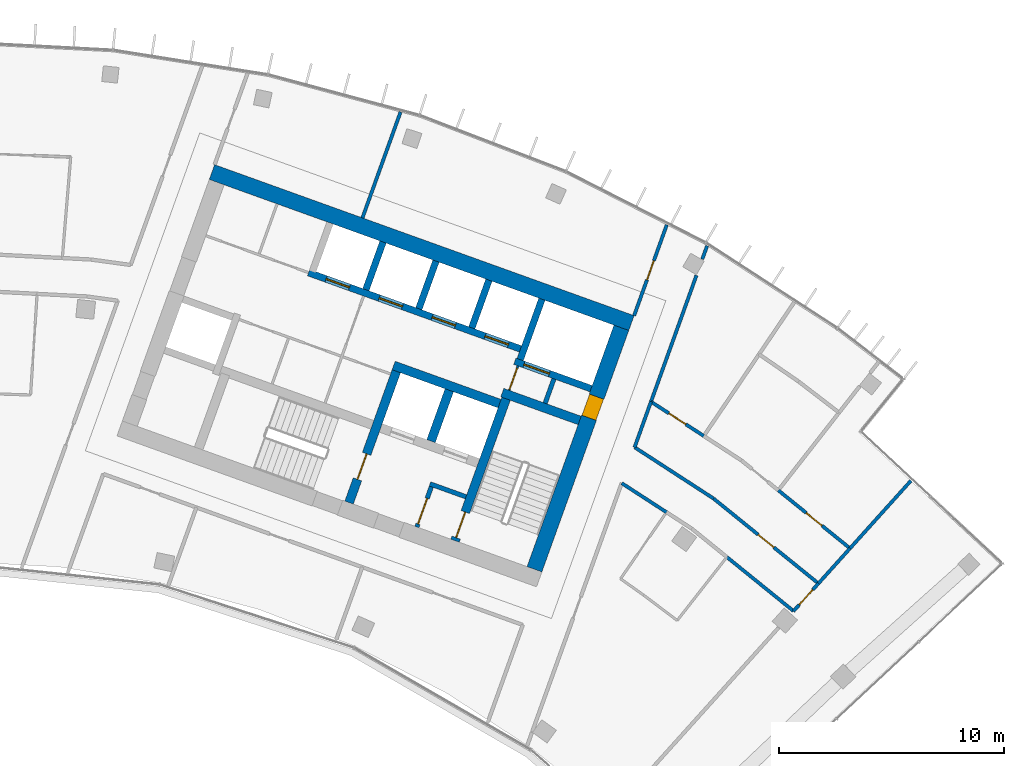
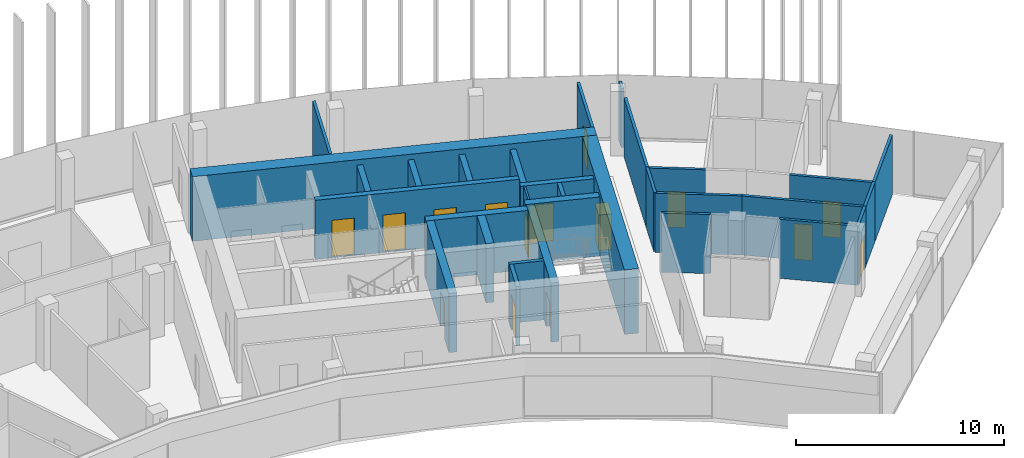
# One storey, part 17 of 19: 31 walls, 15 doors, 15 openings.
"""IFC4 building model written with IfcOpenShell, lengths in metres."""

from ifc_helpers import new_model, si_unit, direction, frame, frame_2d, origin, place, context, subcontext, project, spatial, rectangle, extrude, material, layer, layer_set, type_object, element, fill, save


model = new_model("IFC4")

# Units and contexts
model_context = context("Model", 3, precision=1e-05, world=origin(), true_north=direction((0.0, 1.0)))
body_context = subcontext(model_context, "Body", "Model", "MODEL_VIEW")
ifc_project = project(units=[si_unit("LENGTHUNIT", "METRE"), si_unit("AREAUNIT", "SQUARE_METRE"), si_unit("VOLUMEUNIT", "CUBIC_METRE"), si_unit("PLANEANGLEUNIT", "RADIAN"), si_unit("MASSUNIT", "GRAM", prefix="KILO")], contexts=[model_context])

# Site, building, storey
site_placement = place(None, origin())
site = spatial("IfcSite", under=ifc_project, at=site_placement, CompositionType="ELEMENT")
building_placement = place(site_placement, origin())
building = spatial("IfcBuilding", under=site, at=building_placement, Name="Stone Belt Terrace Tower", CompositionType="ELEMENT")
storey_placement = place(building_placement, frame((0.0, 0.0, 292.199951171875)))
storey = spatial("IfcBuildingStorey", under=building, at=storey_placement, Name="L71", CompositionType="ELEMENT", Elevation=292.199951171875)

# Wall, opening, door
ifc_material_1 = material(Name="Plasterboard partition")
ifc_layer_1 = layer(ifc_material_1, 0.10009765625)
ifc_layer_set_1 = layer_set([ifc_layer_1], Name="Core partition 100")
wall_type_1 = type_object("IfcWallType", Name="Core partition 100", PredefinedType="PARTITIONING", material=ifc_layer_set_1)
wall_1_placement = place(storey_placement, frame((24.555908203125, 51.10400390625, 0.0), z_axis=(0.0, 0.0, 1.0), x_axis=(0.338621735342, 0.94092258999, 0.0)))
wall_1 = element("IfcWall", 1, at=wall_1_placement, inside=storey, type_object=wall_type_1, Name="Core B wall", PredefinedType="PARTITIONING", context=body_context, shape_type="SweptSolid", body=[
    extrude(rectangle(XDim=1.14990234375, YDim=0.10009765625, at=frame_2d((0.574951171875, 0.0))), origin(), (0.0, 0.0, 1.0), 3.47998046875),
])
opening_1_placement = place(wall_1_placement, frame((0.050048828125, 0.0, 0.0)))
opening_1 = element("IfcOpeningElement", 2, at=opening_1_placement, cuts=wall_1, Name="Opening L71-C22", PredefinedType="OPENING", context=body_context, shape_type="SweptSolid", body=[
    extrude(rectangle(XDim=1.0, YDim=2.10009765625, at=frame_2d((0.5, 1.050048828125))), frame((0.0, 0.06005859375, 0.0), z_axis=(0.0, -1.0, 0.0), x_axis=(1.0, 0.0, 0.0)), (0.0, 0.0, 1.0), 0.1201171875),
])
ifc_material_2 = material(Name="Timber door leaf", Category="wood")
door_type_1 = type_object("IfcDoorType", Name="Core room door 1000", OperationType="SINGLE_SWING_LEFT", PredefinedType="DOOR", material=ifc_material_2)
door_1_placement = place(opening_1_placement, origin())
door_1 = element("IfcDoor", 3, at=door_1_placement, inside=storey, type_object=door_type_1, Name="Service lift lobby door core B", OperationType="SINGLE_SWING_RIGHT", OverallHeight=2.10009765625, OverallWidth=1.0, PredefinedType="DOOR", context=body_context, shape_type="SweptSolid", body=[
    extrude(rectangle(XDim=1.0, YDim=2.10009765625, at=frame_2d((0.5, 1.050048828125))), frame((0.0, 0.02490234375, 0.0), z_axis=(0.0, -1.0, 0.0), x_axis=(1.0, 0.0, 0.0)), (0.0, 0.0, 1.0), 0.050048828125),
])
fill(opening_1, door_1)

# Wall
ifc_material_3 = material(Name="Concrete B60", Category="concrete")
ifc_layer_2 = layer(ifc_material_3, 0.699951171875)
ifc_layer_set_2 = layer_set([ifc_layer_2], Name="Core wall 700 B60")
wall_type_2 = type_object("IfcWallType", Name="Core wall 700 B60", PredefinedType="SHEAR", material=ifc_layer_set_2)
wall_2_placement = place(storey_placement, frame((11.35791015625, 60.795654296875, 0.0), z_axis=(0.0, 0.0, 1.0), x_axis=(0.940919787944, -0.33862952124, 0.0)))
element("IfcWall", 4, at=wall_2_placement, inside=storey, type_object=wall_type_2, Name="Core B wall convex L71", PredefinedType="SHEAR", context=body_context, shape_type="SweptSolid", body=[
    extrude(rectangle(XDim=19.7998046875, YDim=0.699951171875, at=frame_2d((9.89990234375, 0.0))), origin(), (0.0, 0.0, 1.0), 3.800048828125),
])

# Wall, opening, door
wall_3_placement = place(storey_placement, frame((25.679931640625, 43.153564453125, 0.0), z_axis=(0.0, 0.0, 1.0), x_axis=(0.338625431531, 0.940921259788, 0.0)))
wall_3 = element("IfcWall", 5, at=wall_3_placement, inside=storey, type_object=wall_type_2, Name="Core B wall end_b L71", PredefinedType="SHEAR", context=body_context, shape_type="SweptSolid", body=[
    extrude(rectangle(XDim=11.400146484375, YDim=0.699951171875, at=frame_2d((5.7001953125, 0.0))), origin(), (0.0, 0.0, 1.0), 3.800048828125),
])
opening_2_placement = place(wall_3_placement, frame((7.14990234375, 0.0, 0.0)))
opening_2 = element("IfcOpeningElement", 6, at=opening_2_placement, cuts=wall_3, Name="Opening L71-C21", PredefinedType="OPENING", context=body_context, shape_type="SweptSolid", body=[
    extrude(rectangle(XDim=1.0, YDim=2.10009765625, at=frame_2d((0.5, 1.050048828125))), frame((0.0, 0.35986328125, 0.0), z_axis=(0.0, -1.0, 0.0), x_axis=(1.0, 0.0, 0.0)), (0.0, 0.0, 1.0), 0.719970703125),
])
door_2_placement = place(opening_2_placement, origin())
door_2 = element("IfcDoor", 7, at=door_2_placement, inside=storey, type_object=door_type_1, Name="Door to Telecommunications riser room core B", OperationType="SINGLE_SWING_LEFT", OverallHeight=2.10009765625, OverallWidth=1.0, PredefinedType="DOOR", context=body_context, shape_type="SweptSolid", body=[
    extrude(rectangle(XDim=1.0, YDim=2.10009765625, at=frame_2d((0.5, 1.050048828125))), frame((0.0, 0.330078125, 0.0), z_axis=(0.0, -1.0, 0.0), x_axis=(1.0, 0.0, 0.0)), (0.0, 0.0, 1.0), 0.659912109375),
])
fill(opening_2, door_2)

# Walls
ifc_material_4 = material(Name="Concrete B80", Category="concrete")
ifc_layer_3 = layer(ifc_material_4, 0.39990234375)
ifc_layer_set_3 = layer_set([ifc_layer_3], Name="Fire-fighting lift shaft wall 400")
wall_type_3 = type_object("IfcWallType", Name="Fire-fighting lift shaft wall 400", PredefinedType="SHEAR", material=ifc_layer_set_3)
wall_4_placement = place(storey_placement, frame((24.130615234375, 50.512939453125, 0.0), z_axis=(0.0, 0.0, 1.0), x_axis=(-0.94091168377, 0.338652038744, 0.0)))
element("IfcWall", 8, at=wall_4_placement, inside=storey, type_object=wall_type_3, Name="Core B wall", PredefinedType="SHEAR", context=body_context, shape_type="SweptSolid", body=[
    extrude(rectangle(XDim=5.000244140625, YDim=0.39990234375, at=frame_2d((2.5, 0.0))), origin(), (0.0, 0.0, 1.0), 3.47998046875),
])
wall_5_placement = place(storey_placement, frame((21.0859375, 48.845458984375, 0.0), z_axis=(0.0, 0.0, 1.0), x_axis=(0.338629416206, 0.940919825745, 0.0)))
element("IfcWall", 9, at=wall_5_placement, inside=storey, type_object=wall_type_3, Name="Core B wall", PredefinedType="SHEAR", context=body_context, shape_type="SweptSolid", body=[
    extrude(rectangle(XDim=2.400146484375, YDim=0.39990234375, at=frame_2d((1.2001953125, 0.0))), origin(), (0.0, 0.0, 1.0), 3.47998046875),
])

# Wall, opening, door
ifc_layer_4 = layer(ifc_material_4, 0.300048828125)
ifc_layer_set_4 = layer_set([ifc_layer_4], Name="Lift shaft wall 300")
wall_type_4 = type_object("IfcWallType", Name="Lift shaft wall 300", PredefinedType="SHEAR", material=ifc_layer_set_4)
wall_6_placement = place(storey_placement, frame((28.195068359375, 51.17578125, 0.0), z_axis=(0.0, 0.0, 1.0), x_axis=(-0.940901243567, 0.338681044427, 0.0)))
wall_6 = element("IfcWall", 10, at=wall_6_placement, inside=storey, type_object=wall_type_4, Name="Core B wall", PredefinedType="SHEAR", context=body_context, shape_type="SweptSolid", body=[
    extrude(rectangle(XDim=3.599853515625, YDim=0.300048828125, at=frame_2d((1.7998046875, 0.0))), origin(), (0.0, 0.0, 1.0), 3.47998046875),
])
opening_3_placement = place(wall_6_placement, frame((1.969970703125, 0.0, 0.0)))
opening_3 = element("IfcOpeningElement", 11, at=opening_3_placement, cuts=wall_6, Name="Opening L71-LD14", PredefinedType="OPENING", context=body_context, shape_type="SweptSolid", body=[
    extrude(rectangle(XDim=1.199951171875, YDim=2.199951171875, at=frame_2d((0.60009765625, 1.10009765625))), frame((0.0, 0.159912109375, 0.0), z_axis=(0.0, -1.0, 0.0), x_axis=(1.0, 0.0, 0.0)), (0.0, 0.0, 1.0), 0.320068359375),
])
ifc_material_5 = material(Name="Stainless steel door leaf", Category="steel")
door_type_2 = type_object("IfcDoorType", Name="Landing door 1200", OperationType="SLIDING_TO_LEFT", PredefinedType="DOOR", material=ifc_material_5)
door_3_placement = place(opening_3_placement, origin())
door_3 = element("IfcDoor", 12, at=door_3_placement, inside=storey, type_object=door_type_2, Name="Landing door SV1 core B", OperationType="SLIDING_TO_LEFT", OverallHeight=2.199951171875, OverallWidth=1.199951171875, PredefinedType="DOOR", context=body_context, shape_type="SweptSolid", body=[
    extrude(rectangle(XDim=1.199951171875, YDim=2.199951171875, at=frame_2d((0.60009765625, 1.10009765625))), frame((0.0, 0.02490234375, 0.0), z_axis=(0.0, -1.0, 0.0), x_axis=(1.0, 0.0, 0.0)), (0.0, 0.0, 1.0), 0.050048828125),
])
fill(opening_3, door_3)

# Wall
wall_7_placement = place(storey_placement, frame((25.046875, 52.46826171875, 0.0), z_axis=(0.0, 0.0, 1.0), x_axis=(0.338549588058, 0.940948551423, 0.0)))
element("IfcWall", 13, at=wall_7_placement, inside=storey, type_object=wall_type_4, Name="Core B wall", PredefinedType="SHEAR", context=body_context, shape_type="SweptSolid", body=[
    extrude(rectangle(XDim=2.849853515625, YDim=0.300048828125, at=frame_2d((1.4248046875, 0.0))), origin(), (0.0, 0.0, 1.0), 3.47998046875),
])

# Wall, openings, doors
wall_8_placement = place(storey_placement, frame((25.05810546875, 52.9423828125, 0.0), z_axis=(0.0, 0.0, 1.0), x_axis=(-0.940924441602, 0.338616590255, 0.0)))
wall_8 = element("IfcWall", 14, at=wall_8_placement, inside=storey, type_object=wall_type_4, Name="Core B wall", PredefinedType="SHEAR", context=body_context, shape_type="SweptSolid", body=[
    extrude(rectangle(XDim=10.000244140625, YDim=0.300048828125, at=frame_2d((5.0, 0.0))), origin(), (0.0, 0.0, 1.0), 3.47998046875),
])
opening_4_placement = place(wall_8_placement, frame((0.570068359375, 0.0, 0.0)))
opening_4 = element("IfcOpeningElement", 15, at=opening_4_placement, cuts=wall_8, Name="Opening L71-LD08", PredefinedType="OPENING", context=body_context, shape_type="SweptSolid", body=[
    extrude(rectangle(XDim=1.10009765625, YDim=2.199951171875, at=frame_2d((0.550048828125, 1.10009765625))), frame((0.0, 0.159912109375, 0.0), z_axis=(0.0, -1.0, 0.0), x_axis=(1.0, 0.0, 0.0)), (0.0, 0.0, 1.0), 0.320068359375),
])
opening_5_placement = place(wall_8_placement, frame((3.070068359375, 0.0, 0.0)))
opening_5 = element("IfcOpeningElement", 16, at=opening_5_placement, cuts=wall_8, Name="Opening L71-LD09", PredefinedType="OPENING", context=body_context, shape_type="SweptSolid", body=[
    extrude(rectangle(XDim=1.10009765625, YDim=2.199951171875, at=frame_2d((0.550048828125, 1.10009765625))), frame((0.0, 0.159912109375, 0.0), z_axis=(0.0, -1.0, 0.0), x_axis=(1.0, 0.0, 0.0)), (0.0, 0.0, 1.0), 0.320068359375),
])
opening_6_placement = place(wall_8_placement, frame((5.570068359375, 0.0, 0.0)))
opening_6 = element("IfcOpeningElement", 17, at=opening_6_placement, cuts=wall_8, Name="Opening L71-LD10", PredefinedType="OPENING", context=body_context, shape_type="SweptSolid", body=[
    extrude(rectangle(XDim=1.10009765625, YDim=2.199951171875, at=frame_2d((0.550048828125, 1.10009765625))), frame((0.0, 0.159912109375, 0.0), z_axis=(0.0, -1.0, 0.0), x_axis=(1.0, 0.0, 0.0)), (0.0, 0.0, 1.0), 0.320068359375),
])
opening_7_placement = place(wall_8_placement, frame((8.070068359375, 0.0, 0.0)))
opening_7 = element("IfcOpeningElement", 18, at=opening_7_placement, cuts=wall_8, Name="Opening L71-LD11", PredefinedType="OPENING", context=body_context, shape_type="SweptSolid", body=[
    extrude(rectangle(XDim=1.10009765625, YDim=2.199951171875, at=frame_2d((0.550048828125, 1.10009765625))), frame((0.0, 0.159912109375, 0.0), z_axis=(0.0, -1.0, 0.0), x_axis=(1.0, 0.0, 0.0)), (0.0, 0.0, 1.0), 0.320068359375),
])
door_type_3 = type_object("IfcDoorType", Name="Landing door 1100", OperationType="SLIDING_TO_LEFT", PredefinedType="DOOR", material=ifc_material_5)
door_4_placement = place(opening_4_placement, origin())
door_4 = element("IfcDoor", 19, at=door_4_placement, inside=storey, type_object=door_type_3, Name="Landing door HR1 core B", OperationType="SLIDING_TO_LEFT", OverallHeight=2.199951171875, OverallWidth=1.10009765625, PredefinedType="DOOR", context=body_context, shape_type="SweptSolid", body=[
    extrude(rectangle(XDim=1.10009765625, YDim=2.199951171875, at=frame_2d((0.550048828125, 1.10009765625))), frame((0.0, 0.02490234375, 0.0), z_axis=(0.0, -1.0, 0.0), x_axis=(1.0, 0.0, 0.0)), (0.0, 0.0, 1.0), 0.050048828125),
])
fill(opening_4, door_4)
door_5_placement = place(opening_5_placement, origin())
door_5 = element("IfcDoor", 20, at=door_5_placement, inside=storey, type_object=door_type_3, Name="Landing door HR2 core B", OperationType="SLIDING_TO_LEFT", OverallHeight=2.199951171875, OverallWidth=1.10009765625, PredefinedType="DOOR", context=body_context, shape_type="SweptSolid", body=[
    extrude(rectangle(XDim=1.10009765625, YDim=2.199951171875, at=frame_2d((0.550048828125, 1.10009765625))), frame((0.0, 0.02490234375, 0.0), z_axis=(0.0, -1.0, 0.0), x_axis=(1.0, 0.0, 0.0)), (0.0, 0.0, 1.0), 0.050048828125),
])
fill(opening_5, door_5)
door_6_placement = place(opening_6_placement, origin())
door_6 = element("IfcDoor", 21, at=door_6_placement, inside=storey, type_object=door_type_3, Name="Landing door HR3 core B", OperationType="SLIDING_TO_LEFT", OverallHeight=2.199951171875, OverallWidth=1.10009765625, PredefinedType="DOOR", context=body_context, shape_type="SweptSolid", body=[
    extrude(rectangle(XDim=1.10009765625, YDim=2.199951171875, at=frame_2d((0.550048828125, 1.10009765625))), frame((0.0, 0.02490234375, 0.0), z_axis=(0.0, -1.0, 0.0), x_axis=(1.0, 0.0, 0.0)), (0.0, 0.0, 1.0), 0.050048828125),
])
fill(opening_6, door_6)
door_7_placement = place(opening_7_placement, origin())
door_7 = element("IfcDoor", 22, at=door_7_placement, inside=storey, type_object=door_type_3, Name="Landing door HR4 core B", OperationType="SLIDING_TO_LEFT", OverallHeight=2.199951171875, OverallWidth=1.10009765625, PredefinedType="DOOR", context=body_context, shape_type="SweptSolid", body=[
    extrude(rectangle(XDim=1.10009765625, YDim=2.199951171875, at=frame_2d((0.550048828125, 1.10009765625))), frame((0.0, 0.02490234375, 0.0), z_axis=(0.0, -1.0, 0.0), x_axis=(1.0, 0.0, 0.0)), (0.0, 0.0, 1.0), 0.050048828125),
])
fill(opening_7, door_7)

# Walls
wall_9_placement = place(storey_placement, frame((22.897705078125, 53.87939453125, 0.0), z_axis=(0.0, 0.0, 1.0), x_axis=(0.338535034312, 0.940953787677, 0.0)))
element("IfcWall", 23, at=wall_9_placement, inside=storey, type_object=wall_type_4, Name="Core B wall", PredefinedType="SHEAR", context=body_context, shape_type="SweptSolid", body=[
    extrude(rectangle(XDim=2.25, YDim=0.300048828125, at=frame_2d((1.125, 0.0))), origin(), (0.0, 0.0, 1.0), 3.47998046875),
])
wall_10_placement = place(storey_placement, frame((20.54541015625, 54.72607421875, 0.0), z_axis=(0.0, 0.0, 1.0), x_axis=(0.338569601369, 0.940941350472, 0.0)))
element("IfcWall", 24, at=wall_10_placement, inside=storey, type_object=wall_type_4, Name="Core B wall", PredefinedType="SHEAR", context=body_context, shape_type="SweptSolid", body=[
    extrude(rectangle(XDim=2.249755859375, YDim=0.300048828125, at=frame_2d((1.125, 0.0))), origin(), (0.0, 0.0, 1.0), 3.47998046875),
])
wall_11_placement = place(storey_placement, frame((18.193115234375, 55.572509765625, 0.0), z_axis=(0.0, 0.0, 1.0), x_axis=(0.338535034312, 0.940953787677, 0.0)))
element("IfcWall", 25, at=wall_11_placement, inside=storey, type_object=wall_type_4, Name="Core B wall", PredefinedType="SHEAR", context=body_context, shape_type="SweptSolid", body=[
    extrude(rectangle(XDim=2.25, YDim=0.300048828125, at=frame_2d((1.125, 0.0))), origin(), (0.0, 0.0, 1.0), 3.47998046875),
])

# Wall, opening, door
ifc_material_6 = material(Name="Gypsum board partition")
ifc_layer_5 = layer(ifc_material_6, 0.14990234375)
ifc_layer_set_5 = layer_set([ifc_layer_5], Name="PARTITION 150 EI 60")
wall_type_5 = type_object("IfcWallType", Name="PARTITION 150 EI 60", PredefinedType="PARTITIONING", material=ifc_layer_set_5)
wall_12_placement = place(storey_placement, frame((30.10595703125, 54.419921875, 0.0), z_axis=(0.0, 0.0, 1.0), x_axis=(0.338580264222, 0.940937513695, 0.0)))
wall_12 = element("IfcWall", 26, at=wall_12_placement, inside=storey, type_object=wall_type_5, Name="L71/wall/i023", PredefinedType="PARTITIONING", context=body_context, shape_type="SweptSolid", body=[
    extrude(rectangle(XDim=4.285400390625, YDim=0.14990234375, at=frame_2d((2.142578125, 0.0))), origin(), (0.0, 0.0, 1.0), 3.47998046875),
])
opening_8_placement = place(wall_12_placement, frame((1.692626953125, 0.0, 0.0)))
opening_8 = element("IfcOpeningElement", 27, at=opening_8_placement, cuts=wall_12, Name="Opening D-E4-10", PredefinedType="OPENING", context=body_context, shape_type="SweptSolid", body=[
    extrude(rectangle(XDim=0.89990234375, YDim=2.10009765625, at=frame_2d((0.449951171875, 1.050048828125))), frame((0.0, 0.0849609375, 0.0), z_axis=(0.0, -1.0, 0.0), x_axis=(1.0, 0.0, 0.0)), (0.0, 0.0, 1.0), 0.169921875),
])
door_type_4 = type_object("IfcDoorType", Name="OFFICE DOOR 900 X 2100", OperationType="NOTDEFINED", PredefinedType="DOOR", material=ifc_material_2)
door_8_placement = place(opening_8_placement, origin())
door_8 = element("IfcDoor", 28, at=door_8_placement, inside=storey, type_object=door_type_4, Name="L71/door/i10", OperationType="SINGLE_SWING_RIGHT", OverallHeight=2.10009765625, OverallWidth=0.89990234375, PredefinedType="DOOR", context=body_context, shape_type="SweptSolid", body=[
    extrude(rectangle(XDim=0.89990234375, YDim=2.10009765625, at=frame_2d((0.449951171875, 1.050048828125))), frame((0.0, 0.02490234375, 0.0), z_axis=(0.0, -1.0, 0.0), x_axis=(1.0, 0.0, 0.0)), (0.0, 0.0, 1.0), 0.050048828125),
])
fill(opening_8, door_8)

# Walls
wall_13_placement = place(storey_placement, frame((30.85791015625, 50.60400390625, 0.0), z_axis=(0.0, 0.0, 1.0), x_axis=(-0.338315840616, -0.941032620045, 0.0)))
element("IfcWall", 29, at=wall_13_placement, inside=storey, type_object=wall_type_5, Name="L71/wall/i026", PredefinedType="PARTITIONING", context=body_context, shape_type="SweptSolid", body=[
    extrude(rectangle(XDim=2.16357421875, YDim=0.14990234375, at=frame_2d((1.081787109375, 0.0))), origin(), (0.0, 0.0, 1.0), 3.47998046875),
])
wall_14_placement = place(storey_placement, frame((33.348876953125, 57.523193359375, 0.0), z_axis=(0.0, 0.0, 1.0), x_axis=(-0.338733145318, -0.94088248802, 0.0)))
element("IfcWall", 30, at=wall_14_placement, inside=storey, type_object=wall_type_5, Name="L71/wall/i027", PredefinedType="PARTITIONING", context=body_context, shape_type="SweptSolid", body=[
    extrude(rectangle(XDim=0.632080078125, YDim=0.14990234375, at=frame_2d((0.31591796875, 0.0))), origin(), (0.0, 0.0, 1.0), 3.47998046875),
])
wall_15_placement = place(storey_placement, frame((32.875244140625, 56.20703125, 0.0), z_axis=(0.0, 0.0, 1.0), x_axis=(-0.338696289535, -0.940895755892, 0.0)))
element("IfcWall", 31, at=wall_15_placement, inside=storey, type_object=wall_type_5, Name="L71/wall/i028", PredefinedType="PARTITIONING", context=body_context, shape_type="SweptSolid", body=[
    extrude(rectangle(XDim=5.9677734375, YDim=0.14990234375, at=frame_2d((2.98388671875, 0.0))), origin(), (0.0, 0.0, 1.0), 3.47998046875),
])
wall_16_placement = place(storey_placement, frame((19.73291015625, 63.464111328125, 0.0), z_axis=(0.0, 0.0, 1.0), x_axis=(-0.338563764909, -0.940943450527, 0.0)))
element("IfcWall", 32, at=wall_16_placement, inside=storey, type_object=wall_type_5, Name="L71/wall/i034", PredefinedType="PARTITIONING", context=body_context, shape_type="SweptSolid", body=[
    extrude(rectangle(XDim=4.997314453125, YDim=0.14990234375, at=frame_2d((2.49853515625, 0.0))), origin(), (0.0, 0.0, 1.0), 3.47998046875),
])

# Wall, opening, door
wall_17_placement = place(storey_placement, frame((38.294921875, 42.530029296875, 0.0), z_axis=(0.0, 0.0, 1.0), x_axis=(-0.669037778615, -0.743228397456, 0.0)))
wall_17 = element("IfcWall", 33, at=wall_17_placement, inside=storey, type_object=wall_type_5, Name="L71/wall/i054", PredefinedType="PARTITIONING", context=body_context, shape_type="SweptSolid", body=[
    extrude(rectangle(XDim=1.661865234375, YDim=0.14990234375, at=frame_2d((0.8310546875, 0.0))), origin(), (0.0, 0.0, 1.0), 3.47998046875),
])
opening_9_placement = place(wall_17_placement, frame((0.380859375, 0.0, 0.0)))
opening_9 = element("IfcOpeningElement", 34, at=opening_9_placement, cuts=wall_17, Name="Opening D-E4-17", PredefinedType="OPENING", context=body_context, shape_type="SweptSolid", body=[
    extrude(rectangle(XDim=0.89990234375, YDim=2.10009765625, at=frame_2d((0.449951171875, 1.050048828125))), frame((0.0, 0.0849609375, 0.0), z_axis=(0.0, -1.0, 0.0), x_axis=(1.0, 0.0, 0.0)), (0.0, 0.0, 1.0), 0.169921875),
])
door_9_placement = place(opening_9_placement, origin())
door_9 = element("IfcDoor", 35, at=door_9_placement, inside=storey, type_object=door_type_4, Name="L71/door/i17", OperationType="SINGLE_SWING_RIGHT", OverallHeight=2.10009765625, OverallWidth=0.89990234375, PredefinedType="DOOR", context=body_context, shape_type="SweptSolid", body=[
    extrude(rectangle(XDim=0.89990234375, YDim=2.10009765625, at=frame_2d((0.449951171875, 1.050048828125))), frame((0.0, 0.02490234375, 0.0), z_axis=(0.0, -1.0, 0.0), x_axis=(1.0, 0.0, 0.0)), (0.0, 0.0, 1.0), 0.050048828125),
])
fill(opening_9, door_9)

# Walls
wall_18_placement = place(storey_placement, frame((38.287109375, 42.52099609375, 0.0), z_axis=(0.0, 0.0, 1.0), x_axis=(0.668856019275, 0.743391972972, 0.0)))
element("IfcWall", 36, at=wall_18_placement, inside=storey, type_object=wall_type_5, Name="L71/wall/i056", PredefinedType="PARTITIONING", context=body_context, shape_type="SweptSolid", body=[
    extrude(rectangle(XDim=2.109375, YDim=0.14990234375, at=frame_2d((1.0546875, 0.0))), origin(), (0.0, 0.0, 1.0), 3.47998046875),
])
wall_19_placement = place(storey_placement, frame((39.69091796875, 44.080078125, 0.0), z_axis=(0.0, 0.0, 1.0), x_axis=(0.669038042055, 0.743228160314, 0.0)))
element("IfcWall", 37, at=wall_19_placement, inside=storey, type_object=wall_type_5, Name="L71/wall/i057", PredefinedType="PARTITIONING", context=body_context, shape_type="SweptSolid", body=[
    extrude(rectangle(XDim=4.047607421875, YDim=0.14990234375, at=frame_2d((2.02392578125, 0.0))), origin(), (0.0, 0.0, 1.0), 3.47998046875),
])
wall_20_placement = place(storey_placement, frame((31.549072265625, 45.68603515625, 0.0), z_axis=(0.0, 0.0, 1.0), x_axis=(-0.838687509275, 0.544612946767, 0.0)))
element("IfcWall", 38, at=wall_20_placement, inside=storey, type_object=wall_type_5, Name="L71/wall/i058", PredefinedType="PARTITIONING", context=body_context, shape_type="SweptSolid", body=[
    extrude(rectangle(XDim=2.377685546875, YDim=0.14990234375, at=frame_2d((1.18896484375, 0.0))), origin(), (0.0, 0.0, 1.0), 3.47998046875),
])
wall_21_placement = place(storey_placement, frame((37.18701171875, 41.300048828125, 0.0), z_axis=(0.0, 0.0, 1.0), x_axis=(-0.77714803313, 0.629317832738, 0.0)))
element("IfcWall", 39, at=wall_21_placement, inside=storey, type_object=wall_type_5, Name="L71/wall/i059", PredefinedType="PARTITIONING", context=body_context, shape_type="SweptSolid", body=[
    extrude(rectangle(XDim=3.816650390625, YDim=0.14990234375, at=frame_2d((1.908203125, 0.0))), origin(), (0.0, 0.0, 1.0), 3.47998046875),
])
wall_22_placement = place(storey_placement, frame((30.1279296875, 48.573974609375, 0.0), z_axis=(0.0, 0.0, 1.0), x_axis=(0.838679571288, -0.544625170832, 0.0)))
element("IfcWall", 40, at=wall_22_placement, inside=storey, type_object=wall_type_5, Name="L71/wall/i062", PredefinedType="PARTITIONING", context=body_context, shape_type="SweptSolid", body=[
    extrude(rectangle(XDim=4.182861328125, YDim=0.14990234375, at=frame_2d((2.09130859375, 0.0))), origin(), (0.0, 0.0, 1.0), 3.47998046875),
])

# Wall, opening, door
wall_23_placement = place(storey_placement, frame((33.635986328125, 46.2958984375, 0.0), z_axis=(0.0, 0.0, 1.0), x_axis=(0.777109127033, -0.629365875054, 0.0)))
wall_23 = element("IfcWall", 41, at=wall_23_placement, inside=storey, type_object=wall_type_5, Name="L71/wall/i063", PredefinedType="PARTITIONING", context=body_context, shape_type="SweptSolid", body=[
    extrude(rectangle(XDim=5.990234375, YDim=0.14990234375, at=frame_2d((2.9951171875, 0.0))), origin(), (0.0, 0.0, 1.0), 3.47998046875),
])
opening_10_placement = place(wall_23_placement, frame((2.545166015625, 0.0, 0.0)))
opening_10 = element("IfcOpeningElement", 42, at=opening_10_placement, cuts=wall_23, Name="Opening D-E4-20", PredefinedType="OPENING", context=body_context, shape_type="SweptSolid", body=[
    extrude(rectangle(XDim=0.89990234375, YDim=2.10009765625, at=frame_2d((0.449951171875, 1.050048828125))), frame((0.0, 0.0849609375, 0.0), z_axis=(0.0, -1.0, 0.0), x_axis=(1.0, 0.0, 0.0)), (0.0, 0.0, 1.0), 0.169921875),
])
door_10_placement = place(opening_10_placement, origin())
door_10 = element("IfcDoor", 43, at=door_10_placement, inside=storey, type_object=door_type_4, Name="L71/door/i20", OperationType="SINGLE_SWING_RIGHT", OverallHeight=2.10009765625, OverallWidth=0.89990234375, PredefinedType="DOOR", context=body_context, shape_type="SweptSolid", body=[
    extrude(rectangle(XDim=0.89990234375, YDim=2.10009765625, at=frame_2d((0.449951171875, 1.050048828125))), frame((0.0, 0.02490234375, 0.0), z_axis=(0.0, -1.0, 0.0), x_axis=(1.0, 0.0, 0.0)), (0.0, 0.0, 1.0), 0.050048828125),
])
fill(opening_10, door_10)

wall_24_placement = place(storey_placement, frame((30.85595703125, 50.597900390625, 0.0), z_axis=(0.0, 0.0, 1.0), x_axis=(0.838718223529, -0.544565644822, 0.0)))
wall_24 = element("IfcWall", 44, at=wall_24_placement, inside=storey, type_object=wall_type_5, Name="L71/wall/i068", PredefinedType="PARTITIONING", context=body_context, shape_type="SweptSolid", body=[
    extrude(rectangle(XDim=2.802001953125, YDim=0.14990234375, at=frame_2d((1.40087890625, 0.0))), origin(), (0.0, 0.0, 1.0), 3.47998046875),
])
opening_11_placement = place(wall_24_placement, frame((0.950927734375, 0.0, 0.0)))
opening_11 = element("IfcOpeningElement", 45, at=opening_11_placement, cuts=wall_24, Name="Opening D-E4-21", PredefinedType="OPENING", context=body_context, shape_type="SweptSolid", body=[
    extrude(rectangle(XDim=0.89990234375, YDim=2.10009765625, at=frame_2d((0.449951171875, 1.050048828125))), frame((0.0, 0.0849609375, 0.0), z_axis=(0.0, -1.0, 0.0), x_axis=(1.0, 0.0, 0.0)), (0.0, 0.0, 1.0), 0.169921875),
])
door_11_placement = place(opening_11_placement, origin())
door_11 = element("IfcDoor", 46, at=door_11_placement, inside=storey, type_object=door_type_4, Name="L71/door/i21", OperationType="SINGLE_SWING_RIGHT", OverallHeight=2.10009765625, OverallWidth=0.89990234375, PredefinedType="DOOR", context=body_context, shape_type="SweptSolid", body=[
    extrude(rectangle(XDim=0.89990234375, YDim=2.10009765625, at=frame_2d((0.449951171875, 1.050048828125))), frame((0.0, 0.02490234375, 0.0), z_axis=(0.0, -1.0, 0.0), x_axis=(1.0, 0.0, 0.0)), (0.0, 0.0, 1.0), 0.050048828125),
])
fill(opening_11, door_11)

wall_25_placement = place(storey_placement, frame((36.5048828125, 46.6669921875, 0.0), z_axis=(0.0, 0.0, 1.0), x_axis=(0.777210230824, -0.629241016703, 0.0)))
wall_25 = element("IfcWall", 47, at=wall_25_placement, inside=storey, type_object=wall_type_5, Name="L71/wall/i071", PredefinedType="PARTITIONING", context=body_context, shape_type="SweptSolid", body=[
    extrude(rectangle(XDim=4.103515625, YDim=0.14990234375, at=frame_2d((2.0517578125, 0.0))), origin(), (0.0, 0.0, 1.0), 3.47998046875),
])
opening_12_placement = place(wall_25_placement, frame((1.6015625, 0.0, 0.0)))
opening_12 = element("IfcOpeningElement", 48, at=opening_12_placement, cuts=wall_25, Name="Opening D-E4-23", PredefinedType="OPENING", context=body_context, shape_type="SweptSolid", body=[
    extrude(rectangle(XDim=0.89990234375, YDim=2.10009765625, at=frame_2d((0.449951171875, 1.050048828125))), frame((0.0, 0.0849609375, 0.0), z_axis=(0.0, -1.0, 0.0), x_axis=(1.0, 0.0, 0.0)), (0.0, 0.0, 1.0), 0.169921875),
])
door_12_placement = place(opening_12_placement, origin())
door_12 = element("IfcDoor", 49, at=door_12_placement, inside=storey, type_object=door_type_4, Name="L71/door/i23", OperationType="SINGLE_SWING_RIGHT", OverallHeight=2.10009765625, OverallWidth=0.89990234375, PredefinedType="DOOR", context=body_context, shape_type="SweptSolid", body=[
    extrude(rectangle(XDim=0.89990234375, YDim=2.10009765625, at=frame_2d((0.449951171875, 1.050048828125))), frame((0.0, 0.02490234375, 0.0), z_axis=(0.0, -1.0, 0.0), x_axis=(1.0, 0.0, 0.0)), (0.0, 0.0, 1.0), 0.050048828125),
])
fill(opening_12, door_12)

# Walls
ifc_material_7 = material(Name="Concrete masonry block", Category="masonry")
ifc_layer_6 = layer(ifc_material_7, 0.199951171875)
ifc_layer_set_6 = layer_set([ifc_layer_6], Name="Rated lobby wall 200")
wall_type_6 = type_object("IfcWallType", Name="Rated lobby wall 200", PredefinedType="PARTITIONING", material=ifc_layer_set_6)
wall_26_placement = place(storey_placement, frame((26.1552734375, 50.5283203125, 0.0), z_axis=(0.0, 0.0, 1.0), x_axis=(0.338621735342, 0.94092258999, 0.0)))
element("IfcWall", 50, at=wall_26_placement, inside=storey, type_object=wall_type_6, Name="Core B wall", PredefinedType="PARTITIONING", context=body_context, shape_type="SweptSolid", body=[
    extrude(rectangle(XDim=1.14990234375, YDim=0.199951171875, at=frame_2d((0.574951171875, 0.0))), origin(), (0.0, 0.0, 1.0), 3.47998046875),
])
wall_27_placement = place(storey_placement, frame((22.640625, 46.373046875, 0.0), z_axis=(0.0, 0.0, 1.0), x_axis=(-0.940966110313, 0.338500781747, 0.0)))
element("IfcWall", 51, at=wall_27_placement, inside=storey, type_object=wall_type_6, Name="Core B wall", PredefinedType="PARTITIONING", context=body_context, shape_type="SweptSolid", body=[
    extrude(rectangle(XDim=1.699951171875, YDim=0.199951171875, at=frame_2d((0.85009765625, 0.0))), origin(), (0.0, 0.0, 1.0), 3.47998046875),
])

# Wall, opening, door
wall_28_placement = place(storey_placement, frame((20.4580078125, 45.032958984375, 0.0), z_axis=(0.0, 0.0, 1.0), x_axis=(0.338573865316, 0.940939816208, 0.0)))
wall_28 = element("IfcWall", 52, at=wall_28_placement, inside=storey, type_object=wall_type_6, Name="Core B wall", PredefinedType="PARTITIONING", context=body_context, shape_type="SweptSolid", body=[
    extrude(rectangle(XDim=1.900146484375, YDim=0.199951171875, at=frame_2d((0.9501953125, 0.0))), origin(), (0.0, 0.0, 1.0), 3.47998046875),
])
opening_13_placement = place(wall_28_placement, frame((0.14990234375, 0.0, 0.0)))
opening_13 = element("IfcOpeningElement", 53, at=opening_13_placement, cuts=wall_28, Name="Opening L71-C26", PredefinedType="OPENING", context=body_context, shape_type="SweptSolid", body=[
    extrude(rectangle(XDim=1.199951171875, YDim=2.10009765625, at=frame_2d((0.60009765625, 1.050048828125))), frame((0.0, 0.10986328125, 0.0), z_axis=(0.0, -1.0, 0.0), x_axis=(1.0, 0.0, 0.0)), (0.0, 0.0, 1.0), 0.219970703125),
])
ifc_material_8 = material(Name="Steel door leaf", Category="steel")
door_type_5 = type_object("IfcDoorType", Name="Stair door 1200", OperationType="SINGLE_SWING_LEFT", PredefinedType="DOOR", material=ifc_material_8)
door_13_placement = place(opening_13_placement, origin())
door_13 = element("IfcDoor", 54, at=door_13_placement, inside=storey, type_object=door_type_5, Name="Stair airlock door core B", OperationType="SINGLE_SWING_RIGHT", OverallHeight=2.10009765625, OverallWidth=1.199951171875, PredefinedType="DOOR", context=body_context, shape_type="SweptSolid", body=[
    extrude(rectangle(XDim=1.199951171875, YDim=2.10009765625, at=frame_2d((0.60009765625, 1.050048828125))), frame((0.0, 0.02490234375, 0.0), z_axis=(0.0, -1.0, 0.0), x_axis=(1.0, 0.0, 0.0)), (0.0, 0.0, 1.0), 0.050048828125),
])
fill(opening_13, door_13)

# Wall
ifc_layer_7 = layer(ifc_material_4, 0.39990234375)
ifc_layer_set_7 = layer_set([ifc_layer_7], Name="Stair enclosure wall 400")
wall_type_7 = type_object("IfcWallType", Name="Stair enclosure wall 400", PredefinedType="SHEAR", material=ifc_layer_set_7)
wall_29_placement = place(storey_placement, frame((27.687255859375, 49.764404296875, 0.0), z_axis=(0.0, 0.0, 1.0), x_axis=(-0.940918954884, 0.338631835981, 0.0)))
element("IfcWall", 55, at=wall_29_placement, inside=storey, type_object=wall_type_7, Name="Core B wall", PredefinedType="SHEAR", context=body_context, shape_type="SweptSolid", body=[
    extrude(rectangle(XDim=3.650146484375, YDim=0.39990234375, at=frame_2d((1.8251953125, 0.0))), origin(), (0.0, 0.0, 1.0), 3.47998046875),
])

# Wall, opening, door
wall_30_placement = place(storey_placement, frame((22.151611328125, 44.42333984375, 0.0), z_axis=(0.0, 0.0, 1.0), x_axis=(0.338625272931, 0.940921316866, 0.0)))
wall_30 = element("IfcWall", 56, at=wall_30_placement, inside=storey, type_object=wall_type_7, Name="Core B wall", PredefinedType="SHEAR", context=body_context, shape_type="SweptSolid", body=[
    extrude(rectangle(XDim=6.699951171875, YDim=0.39990234375, at=frame_2d((3.35009765625, 0.0))), origin(), (0.0, 0.0, 1.0), 3.47998046875),
])
opening_14_placement = place(wall_30_placement, frame((0.14990234375, 0.0, 0.0)))
opening_14 = element("IfcOpeningElement", 57, at=opening_14_placement, cuts=wall_30, Name="Opening L71-C25", PredefinedType="OPENING", context=body_context, shape_type="SweptSolid", body=[
    extrude(rectangle(XDim=1.199951171875, YDim=2.10009765625, at=frame_2d((0.60009765625, 1.050048828125))), frame((0.0, 0.2099609375, 0.0), z_axis=(0.0, -1.0, 0.0), x_axis=(1.0, 0.0, 0.0)), (0.0, 0.0, 1.0), 0.419921875),
])
door_14_placement = place(opening_14_placement, origin())
door_14 = element("IfcDoor", 58, at=door_14_placement, inside=storey, type_object=door_type_5, Name="Stair 1 door core B", OperationType="SINGLE_SWING_RIGHT", OverallHeight=2.10009765625, OverallWidth=1.199951171875, PredefinedType="DOOR", context=body_context, shape_type="SweptSolid", body=[
    extrude(rectangle(XDim=1.199951171875, YDim=2.10009765625, at=frame_2d((0.60009765625, 1.050048828125))), frame((0.0, 0.02490234375, 0.0), z_axis=(0.0, -1.0, 0.0), x_axis=(1.0, 0.0, 0.0)), (0.0, 0.0, 1.0), 0.050048828125),
])
fill(opening_14, door_14)

wall_31_placement = place(storey_placement, frame((17.447021484375, 46.116455078125, 0.0), z_axis=(0.0, 0.0, 1.0), x_axis=(0.33860791464, 0.940927563707, 0.0)))
wall_31 = element("IfcWall", 59, at=wall_31_placement, inside=storey, type_object=wall_type_7, Name="Core B wall", PredefinedType="SHEAR", context=body_context, shape_type="SweptSolid", body=[
    extrude(rectangle(XDim=6.199951171875, YDim=0.39990234375, at=frame_2d((3.10009765625, 0.0))), origin(), (0.0, 0.0, 1.0), 3.47998046875),
])
opening_15_placement = place(wall_31_placement, frame((1.10009765625, 0.0, 0.0)))
opening_15 = element("IfcOpeningElement", 60, at=opening_15_placement, cuts=wall_31, Name="Opening L71-C28", PredefinedType="OPENING", context=body_context, shape_type="SweptSolid", body=[
    extrude(rectangle(XDim=1.199951171875, YDim=2.10009765625, at=frame_2d((0.60009765625, 1.050048828125))), frame((0.0, 0.2099609375, 0.0), z_axis=(0.0, -1.0, 0.0), x_axis=(1.0, 0.0, 0.0)), (0.0, 0.0, 1.0), 0.419921875),
])
door_15_placement = place(opening_15_placement, origin())
door_15 = element("IfcDoor", 61, at=door_15_placement, inside=storey, type_object=door_type_5, Name="Stair 2 door core B", OperationType="SINGLE_SWING_RIGHT", OverallHeight=2.10009765625, OverallWidth=1.199951171875, PredefinedType="DOOR", context=body_context, shape_type="SweptSolid", body=[
    extrude(rectangle(XDim=1.199951171875, YDim=2.10009765625, at=frame_2d((0.60009765625, 1.050048828125))), frame((0.0, 0.02490234375, 0.0), z_axis=(0.0, -1.0, 0.0), x_axis=(1.0, 0.0, 0.0)), (0.0, 0.0, 1.0), 0.050048828125),
])
fill(opening_15, door_15)

save(model, "model.ifc")
